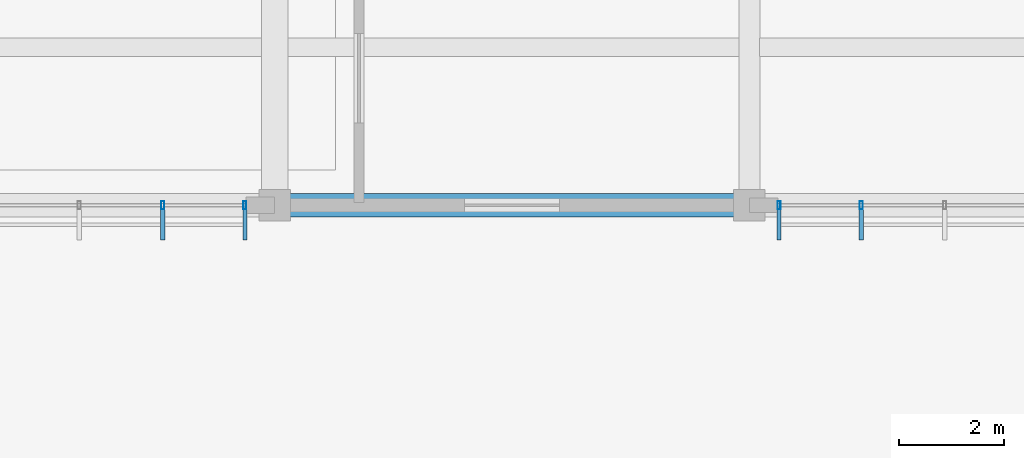
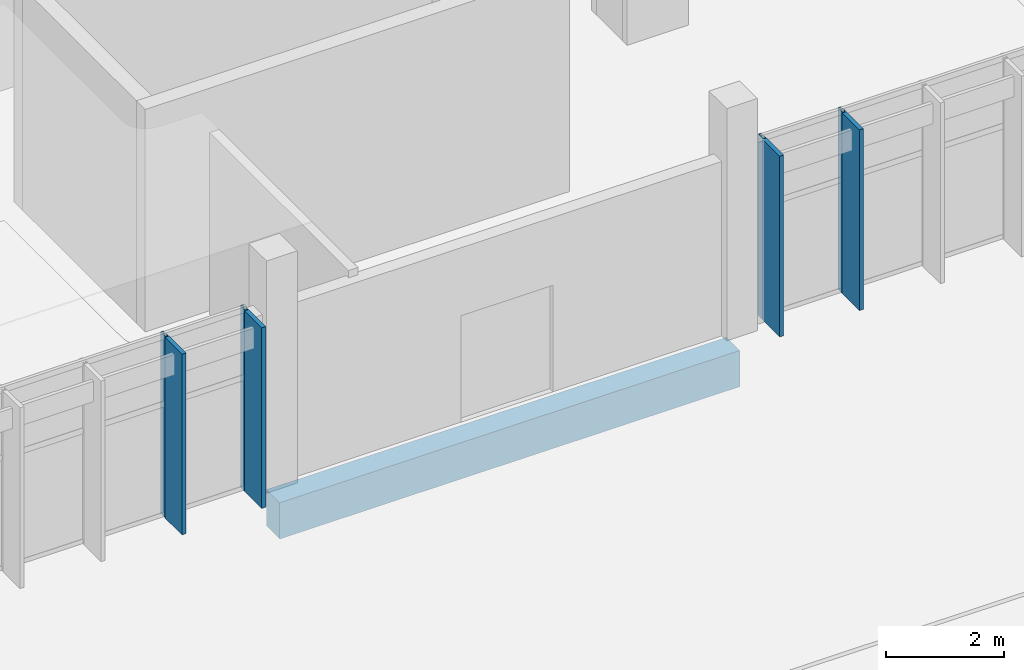
# One storey, part 64 of 151: 8 members, 1 beam, 2 elements without a shape of their own.
"""IFC4 building model written with IfcOpenShell, lengths in metres."""

from ifc_helpers import new_model, si_unit, direction, frame, origin, origin_2d, place, context, subcontext, project, spatial, rectangle, hollow_rectangle, extrude, material, material_profile, profile_set, type_object, element, aggregate, save


model = new_model("IFC4")

# Units and contexts
model_context = context("Model", 3, precision=1e-05, world=origin(), true_north=direction((0.0, 1.0)))
body_context = subcontext(model_context, "Body", "Model", "MODEL_VIEW")
ifc_project = project(units=[si_unit("LENGTHUNIT", "METRE"), si_unit("AREAUNIT", "SQUARE_METRE"), si_unit("VOLUMEUNIT", "CUBIC_METRE"), si_unit("PLANEANGLEUNIT", "RADIAN"), si_unit("MASSUNIT", "GRAM", prefix="KILO")], contexts=[model_context])

# Site, building, storey
site_placement = place(None, origin())
site = spatial("IfcSite", under=ifc_project, at=site_placement, CompositionType="ELEMENT")
building_placement = place(site_placement, origin())
building = spatial("IfcBuilding", under=site, at=building_placement, Name="Chiffa Square Polytechnic", CompositionType="ELEMENT")
storey_placement = place(building_placement, origin())
storey = spatial("IfcBuildingStorey", under=building, at=storey_placement, Name="L00", CompositionType="ELEMENT", Elevation=0.0)

# Beam
ifc_material_1 = material(Name="Concrete C35/45", Category="concrete")
ifc_material_profile_1 = material_profile(ifc_material_1, rectangle(XDim=0.449951171875, YDim=0.75, at=origin_2d()), Name="RC 450x750")
ifc_profile_set_1 = profile_set([ifc_material_profile_1], Name="Concrete C35/45")
beam_type = type_object("IfcBeamType", Name="BM-RC-450X750", PredefinedType="BEAM", material=ifc_profile_set_1)
beam_placement = place(storey_placement, frame((66.60009765625, 103.800048828125, -0.72509765625), z_axis=(1.0, 0.0, 0.0), x_axis=(0.0, 1.0, 0.0)))
element("IfcBeam", 1, at=beam_placement, inside=storey, type_object=beam_type, Name="Primary floor girder BM-V5-L00-X-0666-1038", PredefinedType="BEAM", context=body_context, shape_type="SweptSolid", body=[
    extrude(rectangle(XDim=0.449951171875, YDim=0.75, at=origin_2d()), origin(), (0.0, 0.0, 1.0), 9.0),
])

# Curtain wall, members
ifc_material_2 = material(Name="Aluminium EN AW-6060 T66 and glulam shading", Category="wood")
curtain_wall_type_1 = type_object("IfcCurtainWallType", Name="CW-VERT-600X380", PredefinedType="USERDEFINED", material=ifc_material_2)
curtain_wall_1_placement = place(storey_placement, origin())
curtain_wall_1 = element("IfcCurtainWall", 2, at=curtain_wall_1_placement, inside=storey, type_object=curtain_wall_type_1, Name="Curtain wall CW-V5-L00-188", ObjectType="CURTAIN WALL", PredefinedType="USERDEFINED")
ifc_material_3 = material(Name="Aluminium EN AW-6060 T66", Category="aluminium")
ifc_material_profile_2 = material_profile(ifc_material_3, hollow_rectangle(XDim=0.06005859375, YDim=0.159912109375, WallThickness=0.00390625, at=origin_2d()), Name="ALU 60x160x4")
ifc_profile_set_2 = profile_set([ifc_material_profile_2], Name="Aluminium EN AW-6060 T66")
member_type_1 = type_object("IfcMemberType", Name="CWM-ALU-65X150", PredefinedType="MULLION", material=ifc_profile_set_2)
member_1_placement = place(storey_placement, frame((64.47607421875, 103.800048828125, 0.0), z_axis=(0.0, 0.0, 1.0), x_axis=(1.0, 0.0, 0.0)))
member_1 = element("IfcMember", 3, at=member_1_placement, type_object=member_type_1, Name="Curtain wall mullion CW-V5-L00-188-M04", PredefinedType="MULLION", context=body_context, shape_type="SweptSolid", body=[
    extrude(hollow_rectangle(XDim=0.06005859375, YDim=0.159912109375, WallThickness=0.00390625, at=origin_2d()), origin(), (0.0, 0.0, 1.0), 3.7548828125),
])
member_2_placement = place(storey_placement, frame((66.034912109375, 103.800048828125, 0.0), z_axis=(0.0, 0.0, 1.0), x_axis=(1.0, 0.0, 0.0)))
member_2 = element("IfcMember", 4, at=member_2_placement, type_object=member_type_1, Name="Curtain wall mullion CW-V5-L00-188-M05", PredefinedType="MULLION", context=body_context, shape_type="SweptSolid", body=[
    extrude(hollow_rectangle(XDim=0.06005859375, YDim=0.159912109375, WallThickness=0.00390625, at=origin_2d()), origin(), (0.0, 0.0, 1.0), 3.7548828125),
])

curtain_wall_type_2 = type_object("IfcCurtainWallType", Name="CW-VERT-360X380", PredefinedType="USERDEFINED", material=ifc_material_2)
curtain_wall_2_placement = place(storey_placement, origin())
curtain_wall_2 = element("IfcCurtainWall", 5, at=curtain_wall_2_placement, inside=storey, type_object=curtain_wall_type_2, Name="Curtain wall CW-V5-L00-189", ObjectType="CURTAIN WALL", PredefinedType="USERDEFINED")
member_3_placement = place(storey_placement, frame((76.1650390625, 103.800048828125, 0.0), z_axis=(0.0, 0.0, 1.0), x_axis=(1.0, 0.0, 0.0)))
member_3 = element("IfcMember", 6, at=member_3_placement, type_object=member_type_1, Name="Curtain wall mullion CW-V5-L00-189-M00", PredefinedType="MULLION", context=body_context, shape_type="SweptSolid", body=[
    extrude(hollow_rectangle(XDim=0.06005859375, YDim=0.159912109375, WallThickness=0.00390625, at=origin_2d()), origin(), (0.0, 0.0, 1.0), 3.7548828125),
])
member_4_placement = place(storey_placement, frame((77.72412109375, 103.800048828125, 0.0), z_axis=(0.0, 0.0, 1.0), x_axis=(1.0, 0.0, 0.0)))
member_4 = element("IfcMember", 7, at=member_4_placement, type_object=member_type_1, Name="Curtain wall mullion CW-V5-L00-189-M01", PredefinedType="MULLION", context=body_context, shape_type="SweptSolid", body=[
    extrude(hollow_rectangle(XDim=0.06005859375, YDim=0.159912109375, WallThickness=0.00390625, at=origin_2d()), origin(), (0.0, 0.0, 1.0), 3.7548828125),
])

# Member
ifc_material_4 = material(Name="Glulam GL28h", Category="wood")
ifc_material_profile_3 = material_profile(ifc_material_4, rectangle(XDim=0.080078125, YDim=0.580078125, at=origin_2d()), Name="GL28h 80x580")
ifc_profile_set_3 = profile_set([ifc_material_profile_3], Name="Glulam GL28h")
member_type_2 = type_object("IfcMemberType", Name="CWM-GL-80X580", PredefinedType="MULLION", material=ifc_profile_set_3)
member_5_placement = place(storey_placement, frame((64.47607421875, 103.427978515625, 0.010009765625), z_axis=(0.0, 0.0, 1.0), x_axis=(1.0, 0.0, 0.0)))
member_5 = element("IfcMember", 8, at=member_5_placement, type_object=member_type_2, Name="Exterior glulam solar fin CW-V5-L00-188-FN04", PredefinedType="MULLION", context=body_context, shape_type="SweptSolid", body=[
    extrude(rectangle(XDim=0.080078125, YDim=0.580078125, at=origin_2d()), origin(), (0.0, 0.0, 1.0), 3.735107421875),
])

member_6_placement = place(storey_placement, frame((66.034912109375, 103.427978515625, 0.010009765625), z_axis=(0.0, 0.0, 1.0), x_axis=(1.0, 0.0, 0.0)))
member_6 = element("IfcMember", 9, at=member_6_placement, type_object=member_type_2, Name="Exterior glulam solar fin CW-V5-L00-188-FN05", PredefinedType="MULLION", context=body_context, shape_type="SweptSolid", body=[
    extrude(rectangle(XDim=0.080078125, YDim=0.580078125, at=origin_2d()), origin(), (0.0, 0.0, 1.0), 3.735107421875),
])

aggregate(curtain_wall_1, [member_1, member_5, member_2, member_6])

member_7_placement = place(storey_placement, frame((76.1650390625, 103.427978515625, 0.010009765625), z_axis=(0.0, 0.0, 1.0), x_axis=(1.0, 0.0, 0.0)))
member_7 = element("IfcMember", 10, at=member_7_placement, type_object=member_type_2, Name="Exterior glulam solar fin CW-V5-L00-189-FN00", PredefinedType="MULLION", context=body_context, shape_type="SweptSolid", body=[
    extrude(rectangle(XDim=0.080078125, YDim=0.580078125, at=origin_2d()), origin(), (0.0, 0.0, 1.0), 3.735107421875),
])

member_8_placement = place(storey_placement, frame((77.72412109375, 103.427978515625, 0.010009765625), z_axis=(0.0, 0.0, 1.0), x_axis=(1.0, 0.0, 0.0)))
member_8 = element("IfcMember", 11, at=member_8_placement, type_object=member_type_2, Name="Exterior glulam solar fin CW-V5-L00-189-FN01", PredefinedType="MULLION", context=body_context, shape_type="SweptSolid", body=[
    extrude(rectangle(XDim=0.080078125, YDim=0.580078125, at=origin_2d()), origin(), (0.0, 0.0, 1.0), 3.735107421875),
])

aggregate(curtain_wall_2, [member_3, member_7, member_4, member_8])

save(model, "model.ifc")
